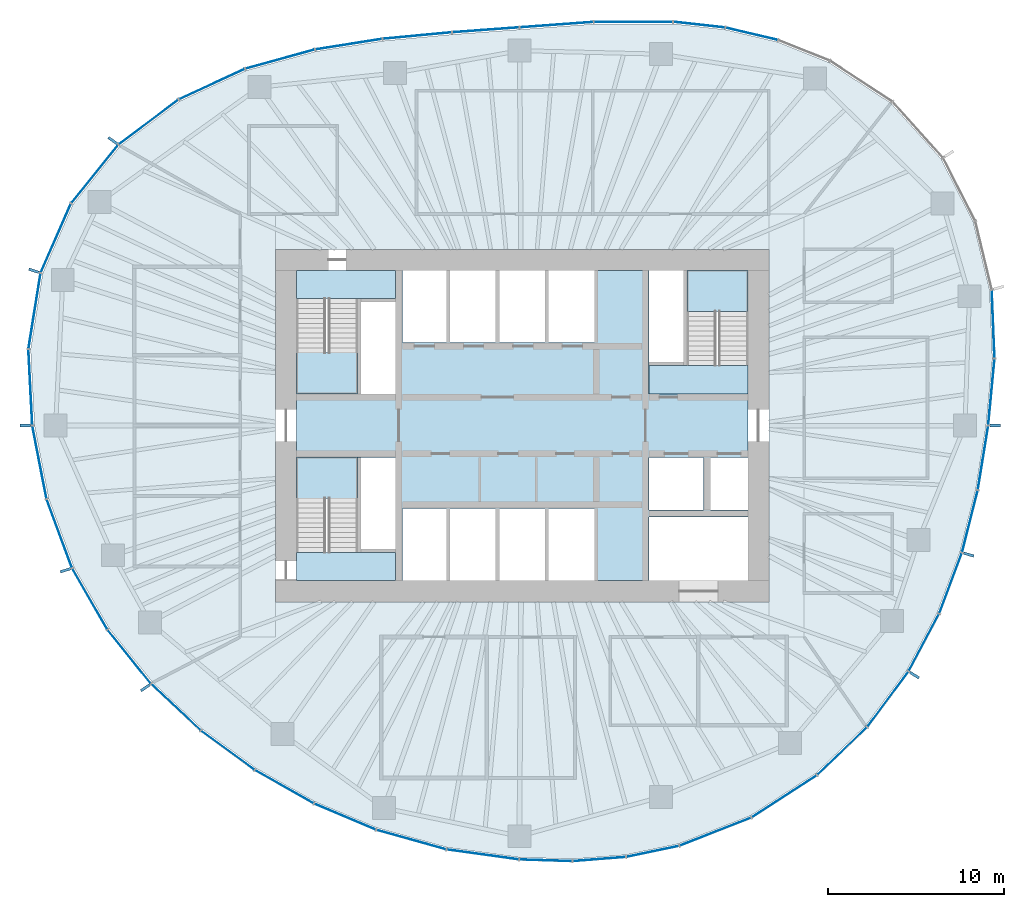
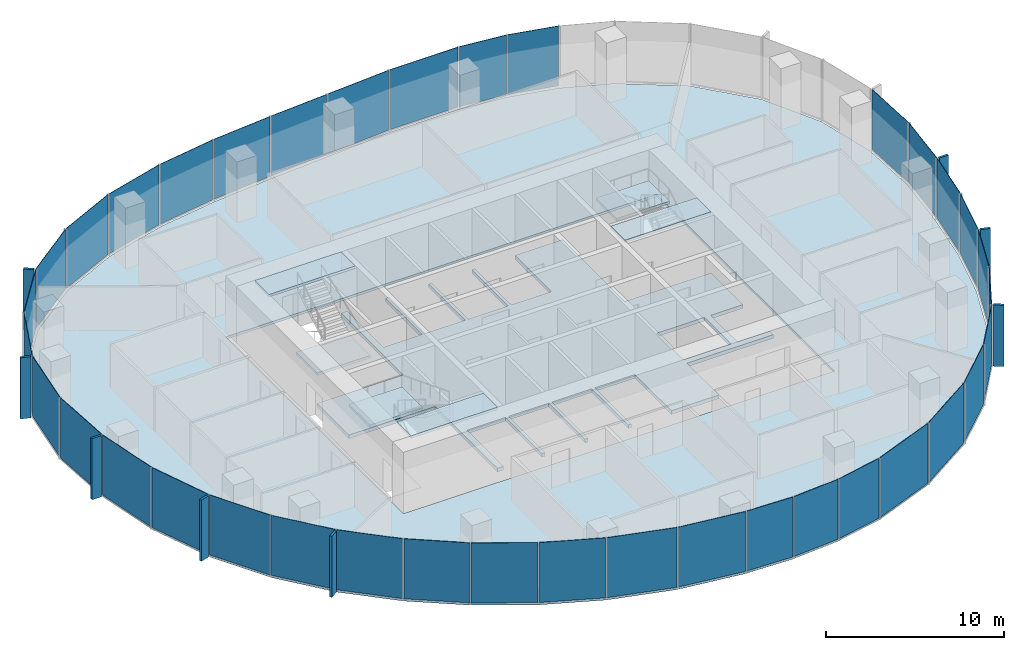
# One storey, part 7 of 12: 45 plates, 8 slabs, 21 elements without a shape of their own.
"""IFC4 building model written with IfcOpenShell, lengths in metres."""

from ifc_helpers import new_model, si_unit, direction, frame, origin, origin_2d, place, context, subcontext, project, spatial, polyline, rectangle, outline, extrude, material, layer, layer_set, type_object, element, aggregate, save


model = new_model("IFC4")

# Units and contexts
model_context = context("Model", 3, precision=1e-05, world=origin(), true_north=direction((0.0, 1.0)))
body_context = subcontext(model_context, "Body", "Model", "MODEL_VIEW")
ifc_project = project(units=[si_unit("LENGTHUNIT", "METRE"), si_unit("AREAUNIT", "SQUARE_METRE"), si_unit("VOLUMEUNIT", "CUBIC_METRE"), si_unit("PLANEANGLEUNIT", "RADIAN"), si_unit("MASSUNIT", "GRAM", prefix="KILO")], contexts=[model_context])

# Site, building, storey
site_placement = place(None, origin())
site = spatial("IfcSite", under=ifc_project, at=site_placement, CompositionType="ELEMENT")
building_placement = place(site_placement, origin())
building = spatial("IfcBuilding", under=site, at=building_placement, Name="Ghaith Harvest Tower", CompositionType="ELEMENT")
storey_placement = place(building_placement, frame((0.0, 0.0, 228.39990234375)))
storey = spatial("IfcBuildingStorey", under=building, at=storey_placement, Name="L50", CompositionType="ELEMENT", Elevation=228.39990234375)

# Curtain wall, plates
ifc_material_1 = material(Name="Black anodised aluminium and fritted glass", Category="aluminium")
curtain_wall_type = type_object("IfcCurtainWallType", Name="CW-H CURTAIN WALL", PredefinedType="NOTDEFINED", material=ifc_material_1)
curtain_wall_1_placement = place(storey_placement, origin())
curtain_wall_1 = element("IfcCurtainWall", 1, at=curtain_wall_1_placement, inside=storey, type_object=curtain_wall_type, Name="Curtain wall CW-H bay 01 L50", PredefinedType="NOTDEFINED")
ifc_material_2 = material(Name="Glass, dark solar-control fritted double glazed unit", Category="glass")
ifc_layer_1 = layer(ifc_material_2, 0.030029296875)
ifc_layer_set_1 = layer_set([ifc_layer_1], Name="CW-H VISION PANEL")
plate_type_1 = type_object("IfcPlateType", Name="CW-H VISION PANEL", PredefinedType="CURTAIN_PANEL", material=ifc_layer_set_1)
plate_1_placement = place(storey_placement, frame((26.624755859375, 1.89794921875, 0.080078125), z_axis=(0.0, 0.0, 1.0), x_axis=(0.094301909937, 0.995543645343, 0.0)))
plate_1 = element("IfcPlate", 2, at=plate_1_placement, type_object=plate_type_1, Name="CW-H glass unit 1 bay 01 L50", PredefinedType="CURTAIN_PANEL", context=body_context, shape_type="SweptSolid", body=[
    extrude(rectangle(XDim=3.73291015625, YDim=0.030029296875, at=origin_2d()), origin(), (0.0, 0.0, 1.0), 4.1201171875),
])
plate_2_placement = place(storey_placement, frame((26.7255859375, 5.74853515625, 0.080078125), z_axis=(0.0, 0.0, 1.0), x_axis=(-0.040462173218, 0.999181070947, 0.0)))
plate_2 = element("IfcPlate", 3, at=plate_2_placement, type_object=plate_type_1, Name="CW-H glass unit 2 bay 01 L50", PredefinedType="CURTAIN_PANEL", context=body_context, shape_type="SweptSolid", body=[
    extrude(rectangle(XDim=3.82861328125, YDim=0.030029296875, at=origin_2d()), origin(), (0.0, 0.0, 1.0), 4.1201171875),
])
aggregate(curtain_wall_1, [plate_1, plate_2])

curtain_wall_2_placement = place(storey_placement, origin())
curtain_wall_2 = element("IfcCurtainWall", 4, at=curtain_wall_2_placement, inside=storey, type_object=curtain_wall_type, Name="Curtain wall CW-H bay 04 L50", PredefinedType="NOTDEFINED")
plate_3_placement = place(storey_placement, frame((13.027099609375, 22.225341796875, 0.080078125), z_axis=(0.0, 0.0, 1.0), x_axis=(-0.973266235028, 0.229679854916, 0.0)))
plate_3 = element("IfcPlate", 5, at=plate_3_placement, type_object=plate_type_1, Name="CW-H glass unit 2 bay 04 L50", PredefinedType="CURTAIN_PANEL", context=body_context, shape_type="SweptSolid", body=[
    extrude(rectangle(XDim=3.00244140625, YDim=0.030029296875, at=origin_2d()), origin(), (0.0, 0.0, 1.0), 4.1201171875),
])
plate_4_placement = place(storey_placement, frame((10.045654296875, 22.744384765625, 0.080078125), z_axis=(0.0, 0.0, 1.0), x_axis=(-0.993865217442, 0.11059805405, 0.0)))
plate_4 = element("IfcPlate", 6, at=plate_4_placement, type_object=plate_type_1, Name="CW-H glass unit 3 bay 04 L50", PredefinedType="CURTAIN_PANEL", context=body_context, shape_type="SweptSolid", body=[
    extrude(rectangle(XDim=2.901123046875, YDim=0.030029296875, at=origin_2d()), origin(), (0.0, 0.0, 1.0), 4.1201171875),
])
aggregate(curtain_wall_2, [plate_3, plate_4])

curtain_wall_3_placement = place(storey_placement, origin())
curtain_wall_3 = element("IfcCurtainWall", 7, at=curtain_wall_3_placement, inside=storey, type_object=curtain_wall_type, Name="Curtain wall CW-H bay 05 L50", PredefinedType="NOTDEFINED")
plate_5_placement = place(storey_placement, frame((6.31201171875, 22.904296875, 0.080078125), z_axis=(0.0, 0.0, 1.0), x_axis=(-0.999997643645, -0.002170876291, 0.0)))
plate_5 = element("IfcPlate", 8, at=plate_5_placement, type_object=plate_type_1, Name="CW-H glass unit 1 bay 05 L50", PredefinedType="CURTAIN_PANEL", context=body_context, shape_type="SweptSolid", body=[
    extrude(rectangle(XDim=4.4248046875, YDim=0.030029296875, at=origin_2d()), origin(), (0.0, 0.0, 1.0), 4.1201171875),
])
plate_6_placement = place(storey_placement, frame((1.952392578125, 22.744873046875, 0.080078125), z_axis=(0.0, 0.0, 1.0), x_axis=(-0.997324570719, -0.073100619976, 0.0)))
plate_6 = element("IfcPlate", 9, at=plate_6_placement, type_object=plate_type_1, Name="CW-H glass unit 2 bay 05 L50", PredefinedType="CURTAIN_PANEL", context=body_context, shape_type="SweptSolid", body=[
    extrude(rectangle(XDim=4.1455078125, YDim=0.030029296875, at=origin_2d()), origin(), (0.0, 0.0, 1.0), 4.1201171875),
])
aggregate(curtain_wall_3, [plate_5, plate_6])

curtain_wall_4_placement = place(storey_placement, origin())
curtain_wall_4 = element("IfcCurtainWall", 10, at=curtain_wall_4_placement, inside=storey, type_object=curtain_wall_type, Name="Curtain wall CW-H bay 06 L50", PredefinedType="NOTDEFINED")
plate_7_placement = place(storey_placement, frame((-2.0693359375, 22.450439453125, 0.080078125), z_axis=(0.0, 0.0, 1.0), x_axis=(-0.997334393671, -0.072966479985, 0.0)))
plate_7 = element("IfcPlate", 11, at=plate_7_placement, type_object=plate_type_1, Name="CW-H glass unit 1 bay 06 L50", PredefinedType="CURTAIN_PANEL", context=body_context, shape_type="SweptSolid", body=[
    extrude(rectangle(XDim=3.759765625, YDim=0.030029296875, at=origin_2d()), origin(), (0.0, 0.0, 1.0), 4.1201171875),
])
plate_8_placement = place(storey_placement, frame((-5.954345703125, 22.12548828125, 0.080078125), z_axis=(0.0, 0.0, 1.0), x_axis=(-0.995631991968, -0.093364535934, 0.0)))
plate_8 = element("IfcPlate", 12, at=plate_8_placement, type_object=plate_type_1, Name="CW-H glass unit 2 bay 06 L50", PredefinedType="CURTAIN_PANEL", context=body_context, shape_type="SweptSolid", body=[
    extrude(rectangle(XDim=3.87744140625, YDim=0.030029296875, at=origin_2d()), origin(), (0.0, 0.0, 1.0), 4.1201171875),
])
aggregate(curtain_wall_4, [plate_7, plate_8])

curtain_wall_5_placement = place(storey_placement, origin())
curtain_wall_5 = element("IfcCurtainWall", 13, at=curtain_wall_5_placement, inside=storey, type_object=curtain_wall_type, Name="Curtain wall CW-H bay 07 L50", PredefinedType="NOTDEFINED")
plate_9_placement = place(storey_placement, frame((-9.83837890625, 21.638671875, 0.080078125), z_axis=(0.0, 0.0, 1.0), x_axis=(-0.98777033338, -0.155915901993, 0.0)))
plate_9 = element("IfcPlate", 14, at=plate_9_placement, type_object=plate_type_1, Name="CW-H glass unit 1 bay 07 L50", PredefinedType="CURTAIN_PANEL", context=body_context, shape_type="SweptSolid", body=[
    extrude(rectangle(XDim=3.795166015625, YDim=0.030029296875, at=origin_2d()), origin(), (0.0, 0.0, 1.0), 4.1201171875),
])
plate_10_placement = place(storey_placement, frame((-13.736572265625, 20.78955078125, 0.080078125), z_axis=(0.0, 0.0, 1.0), x_axis=(-0.964034113875, -0.26577853052, 0.0)))
plate_10 = element("IfcPlate", 15, at=plate_10_placement, type_object=plate_type_1, Name="CW-H glass unit 2 bay 07 L50", PredefinedType="CURTAIN_PANEL", context=body_context, shape_type="SweptSolid", body=[
    extrude(rectangle(XDim=4.03662109375, YDim=0.030029296875, at=origin_2d()), origin(), (0.0, 0.0, 1.0), 4.1201171875),
])
aggregate(curtain_wall_5, [plate_9, plate_10])

curtain_wall_6_placement = place(storey_placement, origin())
curtain_wall_6 = element("IfcCurtainWall", 16, at=curtain_wall_6_placement, inside=storey, type_object=curtain_wall_type, Name="Curtain wall CW-H bay 08 L50", PredefinedType="NOTDEFINED")
plate_11_placement = place(storey_placement, frame((-17.608154296875, 19.370849609375, 0.080078125), z_axis=(0.0, 0.0, 1.0), x_axis=(-0.907814470414, -0.419372015408, 0.0)))
plate_11 = element("IfcPlate", 17, at=plate_11_placement, type_object=plate_type_1, Name="CW-H glass unit 1 bay 08 L50", PredefinedType="CURTAIN_PANEL", context=body_context, shape_type="SweptSolid", body=[
    extrude(rectangle(XDim=4.077392578125, YDim=0.030029296875, at=origin_2d()), origin(), (0.0, 0.0, 1.0), 4.1201171875),
])
plate_12_placement = place(storey_placement, frame((-21.20166015625, 17.219482421875, 0.080078125), z_axis=(0.0, 0.0, 1.0), x_axis=(-0.800067053187, -0.599910585341, 0.0)))
plate_12 = element("IfcPlate", 18, at=plate_12_placement, type_object=plate_type_1, Name="CW-H glass unit 2 bay 08 L50", PredefinedType="CURTAIN_PANEL", context=body_context, shape_type="SweptSolid", body=[
    extrude(rectangle(XDim=4.18603515625, YDim=0.030029296875, at=origin_2d()), origin(), (0.0, 0.0, 1.0), 4.1201171875),
])
aggregate(curtain_wall_6, [plate_11, plate_12])

curtain_wall_7_placement = place(storey_placement, origin())
curtain_wall_7 = element("IfcCurtainWall", 19, at=curtain_wall_7_placement, inside=storey, type_object=curtain_wall_type, Name="Curtain wall CW-H bay 09 L50", PredefinedType="NOTDEFINED")
plate_13_placement = place(storey_placement, frame((-24.25390625, 14.270263671875, 0.080078125), z_axis=(0.0, 0.0, 1.0), x_axis=(-0.627547637499, -0.778578167347, 0.0)))
plate_13 = element("IfcPlate", 20, at=plate_13_placement, type_object=plate_type_1, Name="CW-H glass unit 1 bay 09 L50", PredefinedType="CURTAIN_PANEL", context=body_context, shape_type="SweptSolid", body=[
    extrude(rectangle(XDim=4.208740234375, YDim=0.030029296875, at=origin_2d()), origin(), (0.0, 0.0, 1.0), 4.1201171875),
])
plate_14_placement = place(storey_placement, frame((-26.462646484375, 10.63037109375, 0.080078125), z_axis=(0.0, 0.0, 1.0), x_axis=(-0.40121291108, -0.915984825192, 0.0)))
plate_14 = element("IfcPlate", 21, at=plate_14_placement, type_object=plate_type_1, Name="CW-H glass unit 2 bay 09 L50", PredefinedType="CURTAIN_PANEL", context=body_context, shape_type="SweptSolid", body=[
    extrude(rectangle(XDim=4.22216796875, YDim=0.030029296875, at=origin_2d()), origin(), (0.0, 0.0, 1.0), 4.1201171875),
])
aggregate(curtain_wall_7, [plate_13, plate_14])

curtain_wall_8_placement = place(storey_placement, origin())
curtain_wall_8 = element("IfcCurtainWall", 22, at=curtain_wall_8_placement, inside=storey, type_object=curtain_wall_type, Name="Curtain wall CW-H bay 10 L50", PredefinedType="NOTDEFINED")
plate_15_placement = place(storey_placement, frame((-27.670654296875, 6.49658203125, 0.080078125), z_axis=(0.0, 0.0, 1.0), x_axis=(-0.157514341695, -0.987516699687, 0.0)))
plate_15 = element("IfcPlate", 23, at=plate_15_placement, type_object=plate_type_1, Name="CW-H glass unit 1 bay 10 L50", PredefinedType="CURTAIN_PANEL", context=body_context, shape_type="SweptSolid", body=[
    extrude(rectangle(XDim=4.301513671875, YDim=0.030029296875, at=origin_2d()), origin(), (0.0, 0.0, 1.0), 4.1201171875),
])
plate_16_placement = place(storey_placement, frame((-27.905517578125, 2.16650390625, 0.080078125), z_axis=(0.0, 0.0, 1.0), x_axis=(0.050894857592, -0.998704016949, 0.0)))
plate_16 = element("IfcPlate", 24, at=plate_16_placement, type_object=plate_type_1, Name="CW-H glass unit 2 bay 10 L50", PredefinedType="CURTAIN_PANEL", context=body_context, shape_type="SweptSolid", body=[
    extrude(rectangle(XDim=4.2587890625, YDim=0.030029296875, at=origin_2d()), origin(), (0.0, 0.0, 1.0), 4.1201171875),
])
aggregate(curtain_wall_8, [plate_15, plate_16])

curtain_wall_9_placement = place(storey_placement, origin())
curtain_wall_9 = element("IfcCurtainWall", 25, at=curtain_wall_9_placement, inside=storey, type_object=curtain_wall_type, Name="Curtain wall CW-H bay 11 L50", PredefinedType="NOTDEFINED")
plate_17_placement = place(storey_placement, frame((-27.39013671875, -2.0869140625, 0.080078125), z_axis=(0.0, 0.0, 1.0), x_axis=(0.190426809322, -0.981701395686, 0.0)))
plate_17 = element("IfcPlate", 26, at=plate_17_placement, type_object=plate_type_1, Name="CW-H glass unit 1 bay 11 L50", PredefinedType="CURTAIN_PANEL", context=body_context, shape_type="SweptSolid", body=[
    extrude(rectangle(XDim=4.171630859375, YDim=0.030029296875, at=origin_2d()), origin(), (0.0, 0.0, 1.0), 4.1201171875),
])
plate_18_placement = place(storey_placement, frame((-26.261962890625, -6.1337890625, 0.080078125), z_axis=(0.0, 0.0, 1.0), x_axis=(0.346303431688, -0.938122557666, 0.0)))
plate_18 = element("IfcPlate", 27, at=plate_18_placement, type_object=plate_type_1, Name="CW-H glass unit 2 bay 11 L50", PredefinedType="CURTAIN_PANEL", context=body_context, shape_type="SweptSolid", body=[
    extrude(rectangle(XDim=4.098388671875, YDim=0.030029296875, at=origin_2d()), origin(), (0.0, 0.0, 1.0), 4.1201171875),
])
aggregate(curtain_wall_9, [plate_17, plate_18])

curtain_wall_10_placement = place(storey_placement, origin())
curtain_wall_10 = element("IfcCurtainWall", 28, at=curtain_wall_10_placement, inside=storey, type_object=curtain_wall_type, Name="Curtain wall CW-H bay 12 L50", PredefinedType="NOTDEFINED")
plate_19_placement = place(storey_placement, frame((-24.535888671875, -9.838623046875, 0.080078125), z_axis=(0.0, 0.0, 1.0), x_axis=(0.49818018945, -0.867073525625, 0.0)))
plate_19 = element("IfcPlate", 29, at=plate_19_placement, type_object=plate_type_1, Name="CW-H glass unit 1 bay 12 L50", PredefinedType="CURTAIN_PANEL", context=body_context, shape_type="SweptSolid", body=[
    extrude(rectangle(XDim=3.945068359375, YDim=0.030029296875, at=origin_2d()), origin(), (0.0, 0.0, 1.0), 4.1201171875),
])
plate_20_placement = place(storey_placement, frame((-22.29736328125, -13.119140625, 0.080078125), z_axis=(0.0, 0.0, 1.0), x_axis=(0.626957061695, -0.779053812513, 0.0)))
plate_20 = element("IfcPlate", 30, at=plate_20_placement, type_object=plate_type_1, Name="CW-H glass unit 2 bay 12 L50", PredefinedType="CURTAIN_PANEL", context=body_context, shape_type="SweptSolid", body=[
    extrude(rectangle(XDim=3.8623046875, YDim=0.030029296875, at=origin_2d()), origin(), (0.0, 0.0, 1.0), 4.1201171875),
])
aggregate(curtain_wall_10, [plate_19, plate_20])

curtain_wall_11_placement = place(storey_placement, origin())
curtain_wall_11 = element("IfcCurtainWall", 31, at=curtain_wall_11_placement, inside=storey, type_object=curtain_wall_type, Name="Curtain wall CW-H bay 13 L50", PredefinedType="NOTDEFINED")
plate_21_placement = place(storey_placement, frame((-19.649658203125, -15.98046875, 0.080078125), z_axis=(0.0, 0.0, 1.0), x_axis=(0.729016864325, -0.684495735217, 0.0)))
plate_21 = element("IfcPlate", 32, at=plate_21_placement, type_object=plate_type_1, Name="CW-H glass unit 1 bay 13 L50", PredefinedType="CURTAIN_PANEL", context=body_context, shape_type="SweptSolid", body=[
    extrude(rectangle(XDim=3.793212890625, YDim=0.030029296875, at=origin_2d()), origin(), (0.0, 0.0, 1.0), 4.1201171875),
])
plate_22_placement = place(storey_placement, frame((-16.707763671875, -18.42431640625, 0.080078125), z_axis=(0.0, 0.0, 1.0), x_axis=(0.80736351134, -0.590054370848, 0.0)))
plate_22 = element("IfcPlate", 33, at=plate_22_placement, type_object=plate_type_1, Name="CW-H glass unit 2 bay 13 L50", PredefinedType="CURTAIN_PANEL", context=body_context, shape_type="SweptSolid", body=[
    extrude(rectangle(XDim=3.710693359375, YDim=0.030029296875, at=origin_2d()), origin(), (0.0, 0.0, 1.0), 4.1201171875),
])
aggregate(curtain_wall_11, [plate_21, plate_22])

curtain_wall_12_placement = place(storey_placement, origin())
curtain_wall_12 = element("IfcCurtainWall", 34, at=curtain_wall_12_placement, inside=storey, type_object=curtain_wall_type, Name="Curtain wall CW-H bay 14 L50", PredefinedType="NOTDEFINED")
plate_23_placement = place(storey_placement, frame((-13.496337890625, -20.496826171875, 0.080078125), z_axis=(0.0, 0.0, 1.0), x_axis=(0.869715300233, -0.493553742303, 0.0)))
plate_23 = element("IfcPlate", 35, at=plate_23_placement, type_object=plate_type_1, Name="CW-H glass unit 1 bay 14 L50", PredefinedType="CURTAIN_PANEL", context=body_context, shape_type="SweptSolid", body=[
    extrude(rectangle(XDim=3.785888671875, YDim=0.030029296875, at=origin_2d()), origin(), (0.0, 0.0, 1.0), 4.1201171875),
])
plate_24_placement = place(storey_placement, frame((-10.050537109375, -22.1962890625, 0.080078125), z_axis=(0.0, 0.0, 1.0), x_axis=(0.921181516072, -0.389133157734, 0.0)))
plate_24 = element("IfcPlate", 36, at=plate_24_placement, type_object=plate_type_1, Name="CW-H glass unit 2 bay 14 L50", PredefinedType="CURTAIN_PANEL", context=body_context, shape_type="SweptSolid", body=[
    extrude(rectangle(XDim=3.751220703125, YDim=0.030029296875, at=origin_2d()), origin(), (0.0, 0.0, 1.0), 4.1201171875),
])
aggregate(curtain_wall_12, [plate_23, plate_24])

curtain_wall_13_placement = place(storey_placement, origin())
curtain_wall_13 = element("IfcCurtainWall", 37, at=curtain_wall_13_placement, inside=storey, type_object=curtain_wall_type, Name="Curtain wall CW-H bay 15 L50", PredefinedType="NOTDEFINED")
plate_25_placement = place(storey_placement, frame((-6.291015625, -23.49853515625, 0.080078125), z_axis=(0.0, 0.0, 1.0), x_axis=(0.963162861349, -0.268918765647, 0.0)))
plate_25 = element("IfcPlate", 38, at=plate_25_placement, type_object=plate_type_1, Name="CW-H glass unit 1 bay 15 L50", PredefinedType="CURTAIN_PANEL", context=body_context, shape_type="SweptSolid", body=[
    extrude(rectangle(XDim=4.062744140625, YDim=0.030029296875, at=origin_2d()), origin(), (0.0, 0.0, 1.0), 4.1201171875),
])
plate_26_placement = place(storey_placement, frame((-2.232177734375, -24.34033203125, 0.080078125), z_axis=(0.0, 0.0, 1.0), x_axis=(0.990612268407, -0.136701622823, 0.0)))
plate_26 = element("IfcPlate", 39, at=plate_26_placement, type_object=plate_type_1, Name="CW-H glass unit 2 bay 15 L50", PredefinedType="CURTAIN_PANEL", context=body_context, shape_type="SweptSolid", body=[
    extrude(rectangle(XDim=4.08642578125, YDim=0.030029296875, at=origin_2d()), origin(), (0.0, 0.0, 1.0), 4.1201171875),
])
aggregate(curtain_wall_13, [plate_25, plate_26])

curtain_wall_14_placement = place(storey_placement, origin())
curtain_wall_14 = element("IfcCurtainWall", 40, at=curtain_wall_14_placement, inside=storey, type_object=curtain_wall_type, Name="Curtain wall CW-H bay 16 L50", PredefinedType="NOTDEFINED")
plate_27_placement = place(storey_placement, frame((1.339599609375, -24.67333984375, 0.080078125), z_axis=(0.0, 0.0, 1.0), x_axis=(0.99949125523, -0.031894054587, 0.0)))
plate_27 = element("IfcPlate", 41, at=plate_27_placement, type_object=plate_type_1, Name="CW-H glass unit 1 bay 16 L50", PredefinedType="CURTAIN_PANEL", context=body_context, shape_type="SweptSolid", body=[
    extrude(rectangle(XDim=2.937744140625, YDim=0.030029296875, at=origin_2d()), origin(), (0.0, 0.0, 1.0), 4.1201171875),
])
plate_28_placement = place(storey_placement, frame((4.37060546875, -24.60205078125, 0.080078125), z_axis=(0.0, 0.0, 1.0), x_axis=(0.996945418782, 0.078101421048, 0.0)))
plate_28 = element("IfcPlate", 42, at=plate_28_placement, type_object=plate_type_1, Name="CW-H glass unit 2 bay 16 L50", PredefinedType="CURTAIN_PANEL", context=body_context, shape_type="SweptSolid", body=[
    extrude(rectangle(XDim=2.974853515625, YDim=0.030029296875, at=origin_2d()), origin(), (0.0, 0.0, 1.0), 4.1201171875),
])
plate_29_placement = place(storey_placement, frame((7.40478515625, -24.16650390625, 0.080078125), z_axis=(0.0, 0.0, 1.0), x_axis=(0.978788872874, 0.204871526422, 0.0)))
plate_29 = element("IfcPlate", 43, at=plate_29_placement, type_object=plate_type_1, Name="CW-H glass unit 3 bay 16 L50", PredefinedType="CURTAIN_PANEL", context=body_context, shape_type="SweptSolid", body=[
    extrude(rectangle(XDim=3.00830078125, YDim=0.030029296875, at=origin_2d()), origin(), (0.0, 0.0, 1.0), 4.1201171875),
])
aggregate(curtain_wall_14, [plate_27, plate_28, plate_29])

curtain_wall_15_placement = place(storey_placement, origin())
curtain_wall_15 = element("IfcCurtainWall", 44, at=curtain_wall_15_placement, inside=storey, type_object=curtain_wall_type, Name="Curtain wall CW-H bay 17 L50", PredefinedType="NOTDEFINED")
plate_30_placement = place(storey_placement, frame((10.963134765625, -23.048583984375, 0.080078125), z_axis=(0.0, 0.0, 1.0), x_axis=(0.931161161765, 0.364607858966, 0.0)))
plate_30 = element("IfcPlate", 45, at=plate_30_placement, type_object=plate_type_1, Name="CW-H glass unit 1 bay 17 L50", PredefinedType="CURTAIN_PANEL", context=body_context, shape_type="SweptSolid", body=[
    extrude(rectangle(XDim=4.316650390625, YDim=0.030029296875, at=origin_2d()), origin(), (0.0, 0.0, 1.0), 4.1201171875),
])
plate_31_placement = place(storey_placement, frame((14.869384765625, -21.042724609375, 0.080078125), z_axis=(0.0, 0.0, 1.0), x_axis=(0.839305300126, 0.543660384045, 0.0)))
plate_31 = element("IfcPlate", 46, at=plate_31_placement, type_object=plate_type_1, Name="CW-H glass unit 2 bay 17 L50", PredefinedType="CURTAIN_PANEL", context=body_context, shape_type="SweptSolid", body=[
    extrude(rectangle(XDim=4.35107421875, YDim=0.030029296875, at=origin_2d()), origin(), (0.0, 0.0, 1.0), 4.1201171875),
])
aggregate(curtain_wall_15, [plate_30, plate_31])

curtain_wall_16_placement = place(storey_placement, origin())
curtain_wall_16 = element("IfcCurtainWall", 47, at=curtain_wall_16_placement, inside=storey, type_object=curtain_wall_type, Name="Curtain wall CW-H bay 18 L50", PredefinedType="NOTDEFINED")
plate_32_placement = place(storey_placement, frame((18.151611328125, -18.47705078125, 0.080078125), z_axis=(0.0, 0.0, 1.0), x_axis=(0.722532585058, 0.691336866896, 0.0)))
plate_32 = element("IfcPlate", 48, at=plate_32_placement, type_object=plate_type_1, Name="CW-H glass unit 1 bay 18 L50", PredefinedType="CURTAIN_PANEL", context=body_context, shape_type="SweptSolid", body=[
    extrude(rectangle(XDim=3.85791015625, YDim=0.030029296875, at=origin_2d()), origin(), (0.0, 0.0, 1.0), 4.1201171875),
])
plate_33_placement = place(storey_placement, frame((20.74853515625, -15.53369140625, 0.080078125), z_axis=(0.0, 0.0, 1.0), x_axis=(0.596018639888, 0.802970597784, 0.0)))
plate_33 = element("IfcPlate", 49, at=plate_33_placement, type_object=plate_type_1, Name="CW-H glass unit 2 bay 18 L50", PredefinedType="CURTAIN_PANEL", context=body_context, shape_type="SweptSolid", body=[
    extrude(rectangle(XDim=3.8603515625, YDim=0.030029296875, at=origin_2d()), origin(), (0.0, 0.0, 1.0), 4.1201171875),
])
aggregate(curtain_wall_16, [plate_32, plate_33])

curtain_wall_17_placement = place(storey_placement, origin())
curtain_wall_17 = element("IfcCurtainWall", 50, at=curtain_wall_17_placement, inside=storey, type_object=curtain_wall_type, Name="Curtain wall CW-H bay 19 L50", PredefinedType="NOTDEFINED")
plate_34_placement = place(storey_placement, frame((22.79052734375, -12.316162109375, 0.080078125), z_axis=(0.0, 0.0, 1.0), x_axis=(0.46864379564, 0.883387226989, 0.0)))
plate_34 = element("IfcPlate", 51, at=plate_34_placement, type_object=plate_type_1, Name="CW-H glass unit 1 bay 19 L50", PredefinedType="CURTAIN_PANEL", context=body_context, shape_type="SweptSolid", body=[
    extrude(rectangle(XDim=3.623291015625, YDim=0.030029296875, at=origin_2d()), origin(), (0.0, 0.0, 1.0), 4.1201171875),
])
plate_35_placement = place(storey_placement, frame((24.30712890625, -8.946533203125, 0.080078125), z_axis=(0.0, 0.0, 1.0), x_axis=(0.350480749824, 0.936569935457, 0.0)))
plate_35 = element("IfcPlate", 52, at=plate_35_placement, type_object=plate_type_1, Name="CW-H glass unit 2 bay 19 L50", PredefinedType="CURTAIN_PANEL", context=body_context, shape_type="SweptSolid", body=[
    extrude(rectangle(XDim=3.62255859375, YDim=0.030029296875, at=origin_2d()), origin(), (0.0, 0.0, 1.0), 4.1201171875),
])
aggregate(curtain_wall_17, [plate_34, plate_35])

curtain_wall_18_placement = place(storey_placement, origin())
curtain_wall_18 = element("IfcCurtainWall", 53, at=curtain_wall_18_placement, inside=storey, type_object=curtain_wall_type, Name="Curtain wall CW-H bay 20 L50", PredefinedType="NOTDEFINED")
plate_36_placement = place(storey_placement, frame((25.404541015625, -5.43701171875, 0.080078125), z_axis=(0.0, 0.0, 1.0), x_axis=(0.244925945134, 0.969541789404, 0.0)))
plate_36 = element("IfcPlate", 54, at=plate_36_placement, type_object=plate_type_1, Name="CW-H glass unit 1 bay 20 L50", PredefinedType="CURTAIN_PANEL", context=body_context, shape_type="SweptSolid", body=[
    extrude(rectangle(XDim=3.583251953125, YDim=0.030029296875, at=origin_2d()), origin(), (0.0, 0.0, 1.0), 4.1201171875),
])
plate_37_placement = place(storey_placement, frame((26.14892578125, -1.83056640625, 0.080078125), z_axis=(0.0, 0.0, 1.0), x_axis=(0.159600748097, 0.987181645497, 0.0)))
plate_37 = element("IfcPlate", 55, at=plate_37_placement, type_object=plate_type_1, Name="CW-H glass unit 2 bay 20 L50", PredefinedType="CURTAIN_PANEL", context=body_context, shape_type="SweptSolid", body=[
    extrude(rectangle(XDim=3.628662109375, YDim=0.030029296875, at=origin_2d()), origin(), (0.0, 0.0, 1.0), 4.1201171875),
])
aggregate(curtain_wall_18, [plate_36, plate_37])

# Slabs
ifc_material_3 = material(Name="Concrete C40/50", Category="concrete")
ifc_layer_2 = layer(ifc_material_3, 0.169921875)
ifc_layer_set_2 = layer_set([ifc_layer_2], Name="FLOOR SLAB 170")
slab_type_1 = type_object("IfcSlabType", Name="FLOOR SLAB 170", PredefinedType="FLOOR", material=ifc_layer_set_2)
slab_1_placement = place(storey_placement, frame((0.0, 0.0, -0.169921875)))
element("IfcSlab", 56, at=slab_1_placement, inside=storey, type_object=slab_type_1, Name="Floor slab L50", PredefinedType="FLOOR", context=body_context, shape_type="SweptSolid", body=[
    extrude(outline(polyline([(26.324951171875, 0.0), (26.685791015625, 3.779052734375), (26.531005859375, 7.668212890625), (25.597900390625, 11.55615234375), (23.77294921875, 15.12939453125), (20.923095703125, 18.295166015625), (17.382080078125, 20.612548828125), (14.460693359375, 21.771484375), (11.47265625, 22.47265625), (8.522216796875, 22.796875), (4.03857421875, 22.78125), (-0.15380859375, 22.470458984375), (-3.963134765625, 22.192138671875), (-7.8837890625, 21.827880859375), (-11.694580078125, 21.2314453125), (-15.6474609375, 20.147705078125), (-19.408203125, 18.41650390625), (-22.809814453125, 15.87109375), (-25.491943359375, 12.547607421875), (-27.211181640625, 8.623779296875), (-27.897216796875, 4.314697265625), (-27.675048828125, 0.0), (-26.86669921875, -4.155517578125), (-25.424072265625, -8.057373046875), (-23.425537109375, -11.530517578125), (-20.963134765625, -14.586181640625), (-18.15087890625, -17.223388671875), (-15.10400390625, -19.447998046875), (-11.75732421875, -21.345703125), (-8.2451171875, -22.82861328125), (-4.27490234375, -23.9375), (-0.167724609375, -24.505126953125), (2.833984375, -24.602294921875), (5.865234375, -24.3662109375), (8.8740234375, -23.73779296875), (12.949462890625, -22.1435546875), (16.651611328125, -19.746337890625), (19.48388671875, -17.036865234375), (21.821533203125, -13.887451171875), (23.548828125, -10.631103515625), (24.840576171875, -7.179443359375), (25.734375, -3.644287109375), (26.324951171875, 0.0)]), holes=[polyline([(-14.0, -10.0), (14.0, -10.0), (14.0, 10.0), (-14.0, 10.0), (-14.0, -10.0)])]), origin(), (0.0, 0.0, 1.0), 0.169921875),
])
ifc_material_4 = material(Name="Concrete C40/50", Category="concrete")
ifc_layer_3 = layer(ifc_material_4, 0.25)
ifc_layer_set_3 = layer_set([ifc_layer_3], Name="FLOOR SLAB 250")
slab_type_2 = type_object("IfcSlabType", Name="FLOOR SLAB 250", PredefinedType="FLOOR", material=ifc_layer_set_3)
slab_2_placement = place(storey_placement, frame((0.0, 0.0, -0.25)))
element("IfcSlab", 57, at=slab_2_placement, inside=storey, type_object=slab_type_2, Name="Core slab L50", PredefinedType="FLOOR", context=body_context, shape_type="SweptSolid", body=[
    extrude(outline(polyline([(-12.800048828125, 1.800048828125), (-7.199951171875, 1.800048828125), (-7.199951171875, 8.800048828125), (-6.800048828125, 8.800048828125), (-6.800048828125, 4.699951171875), (-4.300048828125, 4.699951171875), (-4.300048828125, 8.800048828125), (-4.10009765625, 8.800048828125), (-4.10009765625, 4.699951171875), (-1.5, 4.699951171875), (-1.5, 8.800048828125), (-1.300048828125, 8.800048828125), (-1.300048828125, 4.699951171875), (1.300048828125, 4.699951171875), (1.300048828125, 8.800048828125), (1.5, 8.800048828125), (1.5, 4.699951171875), (4.10009765625, 4.699951171875), (4.10009765625, 8.800048828125), (7.199951171875, 8.800048828125), (7.199951171875, 1.800048828125), (12.800048828125, 1.800048828125), (12.800048828125, -1.800048828125), (10.699951171875, -1.800048828125), (10.699951171875, -4.800048828125), (12.800048828125, -4.800048828125), (12.800048828125, -5.199951171875), (7.199951171875, -5.199951171875), (7.199951171875, -8.800048828125), (4.10009765625, -8.800048828125), (4.10009765625, -4.699951171875), (1.5, -4.699951171875), (1.5, -8.800048828125), (1.300048828125, -8.800048828125), (1.300048828125, -4.699951171875), (-1.300048828125, -4.699951171875), (-1.300048828125, -8.800048828125), (-1.5, -8.800048828125), (-1.5, -4.699951171875), (-4.10009765625, -4.699951171875), (-4.10009765625, -8.800048828125), (-4.300048828125, -8.800048828125), (-4.300048828125, -4.699951171875), (-6.800048828125, -4.699951171875), (-6.800048828125, -8.800048828125), (-7.199951171875, -8.800048828125), (-7.199951171875, -1.800048828125), (-12.800048828125, -1.800048828125), (-12.800048828125, 1.800048828125)]), holes=[polyline([(10.300048828125, -4.800048828125), (10.300048828125, -1.800048828125), (7.199951171875, -1.800048828125), (7.199951171875, -4.800048828125), (10.300048828125, -4.800048828125)])]), origin(), (0.0, 0.0, 1.0), 0.25),
])

# Stair, slabs
ifc_material_5 = material(Name="Concrete C40/50, precast", Category="concrete")
stair_type = type_object("IfcStairType", Name="CORE STAIR 24R", PredefinedType="HALF_TURN_STAIR", material=ifc_material_5)
stair_1_placement = place(storey_placement, origin())
stair_1 = element("IfcStair", 58, at=stair_1_placement, inside=storey, type_object=stair_type, Name="Stair ST1 L50", PredefinedType="HALF_TURN_STAIR")
ifc_material_6 = material(Name="Concrete C40/50, precast", Category="concrete")
ifc_layer_4 = layer(ifc_material_6, 0.179931640625)
ifc_layer_set_4 = layer_set([ifc_layer_4], Name="STAIR LANDING 180")
slab_type_3 = type_object("IfcSlabType", Name="STAIR LANDING 180", PredefinedType="LANDING", material=ifc_layer_set_4)
slab_3_placement = place(storey_placement, frame((0.0, 0.0, 1.920166015625)))
slab_3 = element("IfcSlab", 59, at=slab_3_placement, type_object=slab_type_3, Name="ST1 landing 1", PredefinedType="LANDING", context=body_context, shape_type="SweptSolid", body=[
    extrude(outline(polyline([(-12.800048828125, 4.139892578125), (-12.800048828125, 1.77490234375), (-9.35009765625, 1.77490234375), (-9.35009765625, 4.139892578125), (-12.800048828125, 4.139892578125)])), origin(), (0.0, 0.0, 1.0), 0.179931640625),
])
slab_4_placement = place(storey_placement, frame((0.0, 0.0, 4.02001953125)))
slab_4 = element("IfcSlab", 60, at=slab_4_placement, type_object=slab_type_3, Name="ST1 landing 2", PredefinedType="LANDING", context=body_context, shape_type="SweptSolid", body=[
    extrude(outline(polyline([(-12.800048828125, 8.800048828125), (-12.800048828125, 7.199951171875), (-7.199951171875, 7.199951171875), (-7.199951171875, 8.800048828125), (-12.800048828125, 8.800048828125)])), origin(), (0.0, 0.0, 1.0), 0.18017578125),
])
aggregate(stair_1, [slab_3, slab_4])

stair_2_placement = place(storey_placement, origin())
stair_2 = element("IfcStair", 61, at=stair_2_placement, inside=storey, type_object=stair_type, Name="Stair ST3 L50", PredefinedType="HALF_TURN_STAIR")
slab_5_placement = place(storey_placement, frame((0.0, 0.0, 1.920166015625)))
slab_5 = element("IfcSlab", 62, at=slab_5_placement, type_object=slab_type_3, Name="ST3 landing 1", PredefinedType="LANDING", context=body_context, shape_type="SweptSolid", body=[
    extrude(outline(polyline([(-12.800048828125, -4.139892578125), (-12.800048828125, -1.77490234375), (-9.35009765625, -1.77490234375), (-9.35009765625, -4.139892578125), (-12.800048828125, -4.139892578125)])), origin(), (0.0, 0.0, 1.0), 0.179931640625),
])
slab_6_placement = place(storey_placement, frame((0.0, 0.0, 4.02001953125)))
slab_6 = element("IfcSlab", 63, at=slab_6_placement, type_object=slab_type_3, Name="ST3 landing 2", PredefinedType="LANDING", context=body_context, shape_type="SweptSolid", body=[
    extrude(outline(polyline([(-12.800048828125, -8.800048828125), (-12.800048828125, -7.199951171875), (-7.199951171875, -7.199951171875), (-7.199951171875, -8.800048828125), (-12.800048828125, -8.800048828125)])), origin(), (0.0, 0.0, 1.0), 0.18017578125),
])
aggregate(stair_2, [slab_5, slab_6])

stair_3_placement = place(storey_placement, origin())
stair_3 = element("IfcStair", 64, at=stair_3_placement, inside=storey, type_object=stair_type, Name="Stair ST2 L50", PredefinedType="HALF_TURN_STAIR")
slab_7_placement = place(storey_placement, frame((0.0, 0.0, 1.920166015625)))
slab_7 = element("IfcSlab", 65, at=slab_7_placement, type_object=slab_type_3, Name="ST2 landing 1", PredefinedType="LANDING", context=body_context, shape_type="SweptSolid", body=[
    extrude(outline(polyline([(12.800048828125, 6.4599609375), (12.800048828125, 8.800048828125), (9.35009765625, 8.800048828125), (9.35009765625, 6.4599609375), (12.800048828125, 6.4599609375)])), origin(), (0.0, 0.0, 1.0), 0.179931640625),
])
slab_8_placement = place(storey_placement, frame((0.0, 0.0, 4.02001953125)))
slab_8 = element("IfcSlab", 66, at=slab_8_placement, type_object=slab_type_3, Name="ST2 landing 2", PredefinedType="LANDING", context=body_context, shape_type="SweptSolid", body=[
    extrude(outline(polyline([(12.800048828125, 1.800048828125), (12.800048828125, 3.39990234375), (7.199951171875, 3.39990234375), (7.199951171875, 1.800048828125), (12.800048828125, 1.800048828125)])), origin(), (0.0, 0.0, 1.0), 0.18017578125),
])
aggregate(stair_3, [slab_7, slab_8])

# Plates
ifc_material_7 = material(Name="Glassfibre-reinforced concrete", Category="concrete")
ifc_layer_5 = layer(ifc_material_7, 0.14990234375)
ifc_layer_set_5 = layer_set([ifc_layer_5], Name="SUN-BREAKER FIN 600x150")
plate_type_2 = type_object("IfcPlateType", Name="SUN-BREAKER FIN 600x150", PredefinedType="USERDEFINED", material=ifc_layer_set_5)
for number, where, z_axis, x_axis, name in (
    (67, (26.844970703125, 0.0, 0.0), (0.0, 0.0, 1.0), (1.0, 0.0, 0.0), "Sun-breaker fin CW-H 1 bay 01 L50"),
    (68, (-23.236572265625, 16.168212890625, 0.0), (0.0, 0.0, 1.0), (-0.820845486523, 0.571150319316, 0.0), "Sun-breaker fin CW-H 1 bay 09 L50"),
    (69, (-27.70703125, 8.78076171875, 0.0), (0.0, 0.0, 1.0), (-0.953273219358, 0.302109531884, 0.0), "Sun-breaker fin CW-H 1 bay 10 L50"),
    (70, (-28.195068359375, 0.0, 0.0), (0.0, 0.0, 1.0), (-1.0, -4.19e-10, 0.0), "Sun-breaker fin CW-H 1 bay 11 L50"),
    (71, (-25.919677734375, -8.21435546875, 0.0), (0.0, 0.0, 1.0), (-0.953273219416, -0.302109531701, 0.0), "Sun-breaker fin CW-H 1 bay 12 L50"),
    (72, (-21.389892578125, -14.88330078125, 0.0), (0.0, 0.0, 1.0), (-0.820845486622, -0.571150319173, 0.0), "Sun-breaker fin CW-H 1 bay 13 L50"),
    (73, (22.26025390625, -14.16650390625, 0.0), (0.0, 0.0, 1.0), (0.84364397137, -0.536903016913, 0.0), "Sun-breaker fin CW-H 1 bay 19 L50"),
    (74, (25.340087890625, -7.32373046875, 0.0), (0.0, 0.0, 1.0), (0.960680349932, -0.277656739976, 0.0), "Sun-breaker fin CW-H 1 bay 20 L50"),
):
    element("IfcPlate", number, at=place(storey_placement, frame(where, z_axis=z_axis, x_axis=x_axis)), inside=storey, type_object=plate_type_2, Name=name, ObjectType="SUN-BREAKER FIN", PredefinedType="USERDEFINED", context=body_context, shape_type="SweptSolid", body=[
        extrude(rectangle(XDim=0.60009765625, YDim=0.14990234375, at=origin_2d()), origin(), (0.0, 0.0, 1.0), 4.199951171875),
    ])

save(model, "model.ifc")
